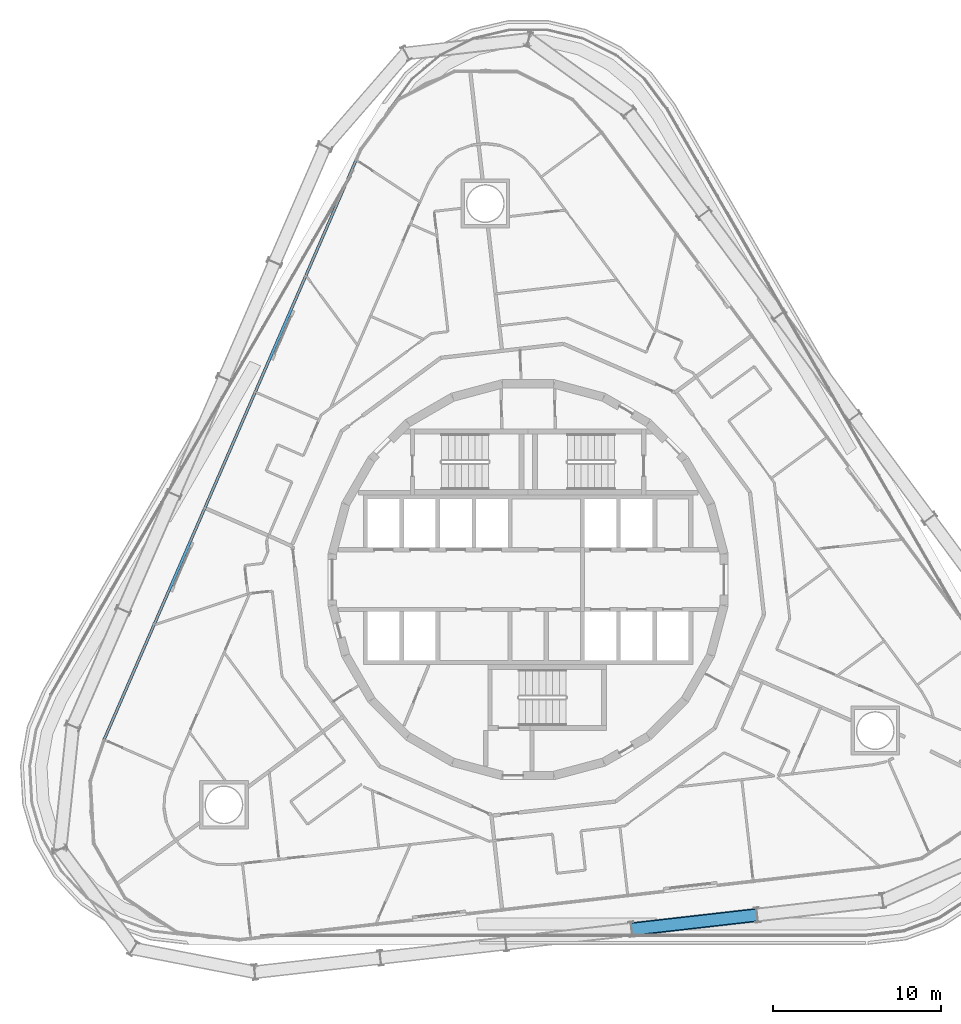
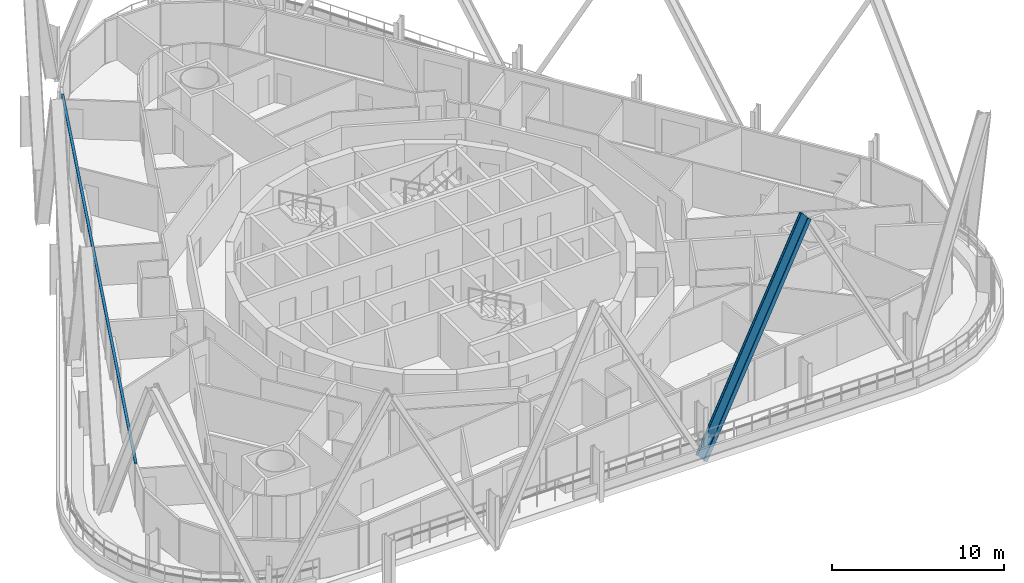
# One storey, part 6 of 32: 2 members, 1 element without a shape of its own.
"""IFC4 building model written with IfcOpenShell, lengths in metres."""

from ifc_helpers import new_model, si_unit, direction, frame, origin, origin_2d, place, context, subcontext, project, spatial, rectangle, i_section, extrude, material, layer, layer_set, material_profile, profile_set, type_object, element, aggregate, save


model = new_model("IFC4")

# Units and contexts
model_context = context("Model", 3, precision=1e-05, world=origin(), true_north=direction((0.0, 1.0)))
body_context = subcontext(model_context, "Body", "Model", "MODEL_VIEW")
ifc_project = project(units=[si_unit("LENGTHUNIT", "METRE"), si_unit("AREAUNIT", "SQUARE_METRE"), si_unit("VOLUMEUNIT", "CUBIC_METRE"), si_unit("PLANEANGLEUNIT", "RADIAN"), si_unit("MASSUNIT", "GRAM", prefix="KILO")], contexts=[model_context])

# Site, building, storey
site_placement = place(None, origin())
site = spatial("IfcSite", under=ifc_project, at=site_placement, CompositionType="ELEMENT")
building_placement = place(site_placement, origin())
building = spatial("IfcBuilding", under=site, at=building_placement, Name="Spindle Arch Residences", CompositionType="ELEMENT")
storey_placement = place(building_placement, frame((0.0, 0.0, 76.699951171875)))
storey = spatial("IfcBuildingStorey", under=building, at=storey_placement, Name="L17", CompositionType="ELEMENT", Elevation=76.699951171875)

# Curtain wall, member
ifc_material_1 = material(Name="Aluminium bronze unitised frame with tinted glass", Category="aluminium")
ifc_layer = layer(ifc_material_1, 0.159912109375)
ifc_layer_set = layer_set([ifc_layer], Name="CW-C typical residential unitised wall")
curtain_wall_type = type_object("IfcCurtainWallType", Name="CW-C typical residential unitised wall", PredefinedType="NOTDEFINED", material=ifc_layer_set)
curtain_wall_placement = place(storey_placement, origin())
curtain_wall = element("IfcCurtainWall", 1, at=curtain_wall_placement, inside=storey, type_object=curtain_wall_type, Name="CW-C L17 run 4", PredefinedType="NOTDEFINED")
ifc_material_2 = material(Name="Aluminium bronze anodised transom", Category="aluminium")
ifc_material_profile_1 = material_profile(ifc_material_2, rectangle(XDim=0.159912109375, YDim=0.1201171875, at=origin_2d()), Name="TR 120x160")
ifc_profile_set_1 = profile_set([ifc_material_profile_1], Name="Aluminium bronze anodised transom")
member_type_1 = type_object("IfcMemberType", Name="Bronze transom 120x160", PredefinedType="USERDEFINED", material=ifc_profile_set_1)
member_1_placement = place(storey_placement, frame((-10.250244140625, 24.92138671875, 3.06005859375), z_axis=(-0.398750371211, -0.917059508134, 0.0), x_axis=(0.917059508134, -0.398750371211, 0.0)))
member_1 = element("IfcMember", 2, at=member_1_placement, type_object=member_type_1, Name="CW-C transom 00", ObjectType="TRANSOM", PredefinedType="USERDEFINED", context=body_context, shape_type="SweptSolid", body=[
    extrude(rectangle(XDim=0.159912109375, YDim=0.1201171875, at=origin_2d()), origin(), (0.0, 0.0, 1.0), 37.5341796875),
])
aggregate(curtain_wall, [member_1])

# Member
ifc_material_3 = material(Name="Steel S460ML, intumescent coating R 240", Category="steel")
ifc_material_profile_2 = material_profile(ifc_material_3, i_section(OverallWidth=0.302978515625, OverallDepth=0.81396484375, WebThickness=0.02099609375, FlangeThickness=0.0400390625, FilletRadius=0.030029296875, at=origin_2d()), Name="HEM 800")
ifc_profile_set_2 = profile_set([ifc_material_profile_2], Name="Steel S460ML, intumescent coating R 240")
member_type_2 = type_object("IfcMemberType", Name="Diagrid diagonal HEM 800", PredefinedType="BRACE", material=ifc_profile_set_2)
member_2_placement = place(storey_placement, frame((6.153076171875, -20.794677734375, -0.699951171875), z_axis=(0.46827861339, 0.053348777616, 0.881968847618), x_axis=(-0.876300441362, -0.099832783378, 0.47130770398)))
element("IfcMember", 3, at=member_2_placement, inside=storey, type_object=member_type_2, Name="Diagrid diagonal 2.1.1", PredefinedType="BRACE", context=body_context, shape_type="SweptSolid", body=[
    extrude(i_section(OverallWidth=0.302978515625, OverallDepth=0.81396484375, WebThickness=0.02099609375, FlangeThickness=0.0400390625, FilletRadius=0.030029296875, at=origin_2d()), origin(), (0.0, 0.0, 1.0), 15.953125),
])

save(model, "model.ifc")
